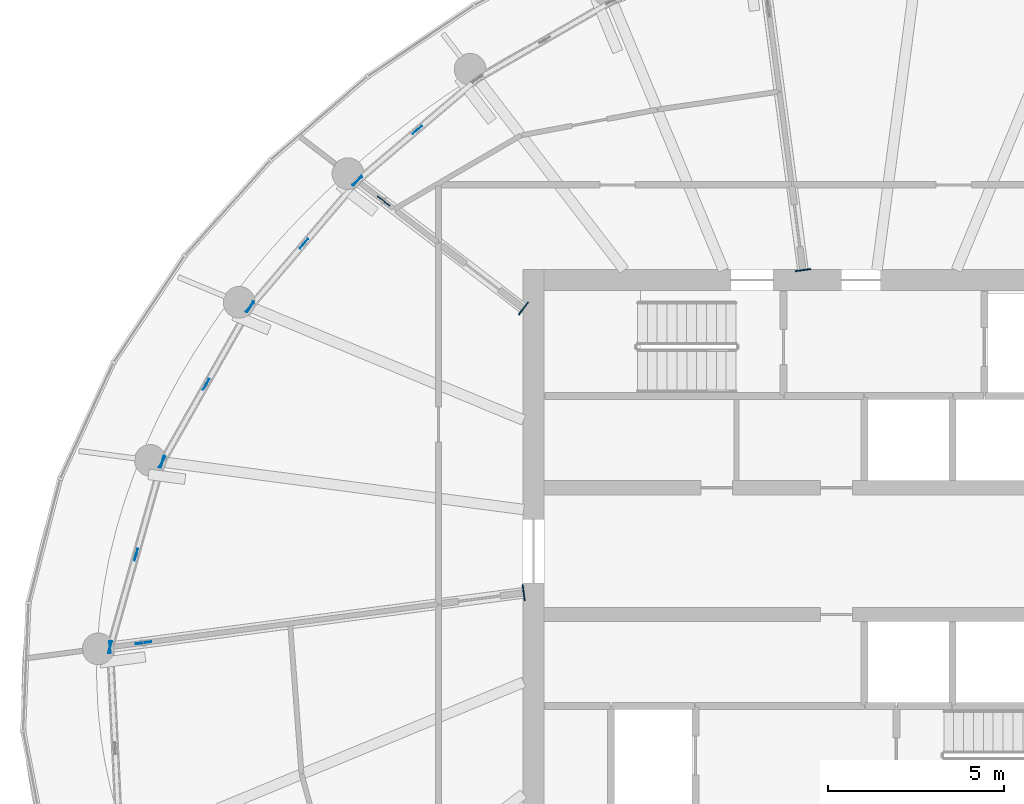
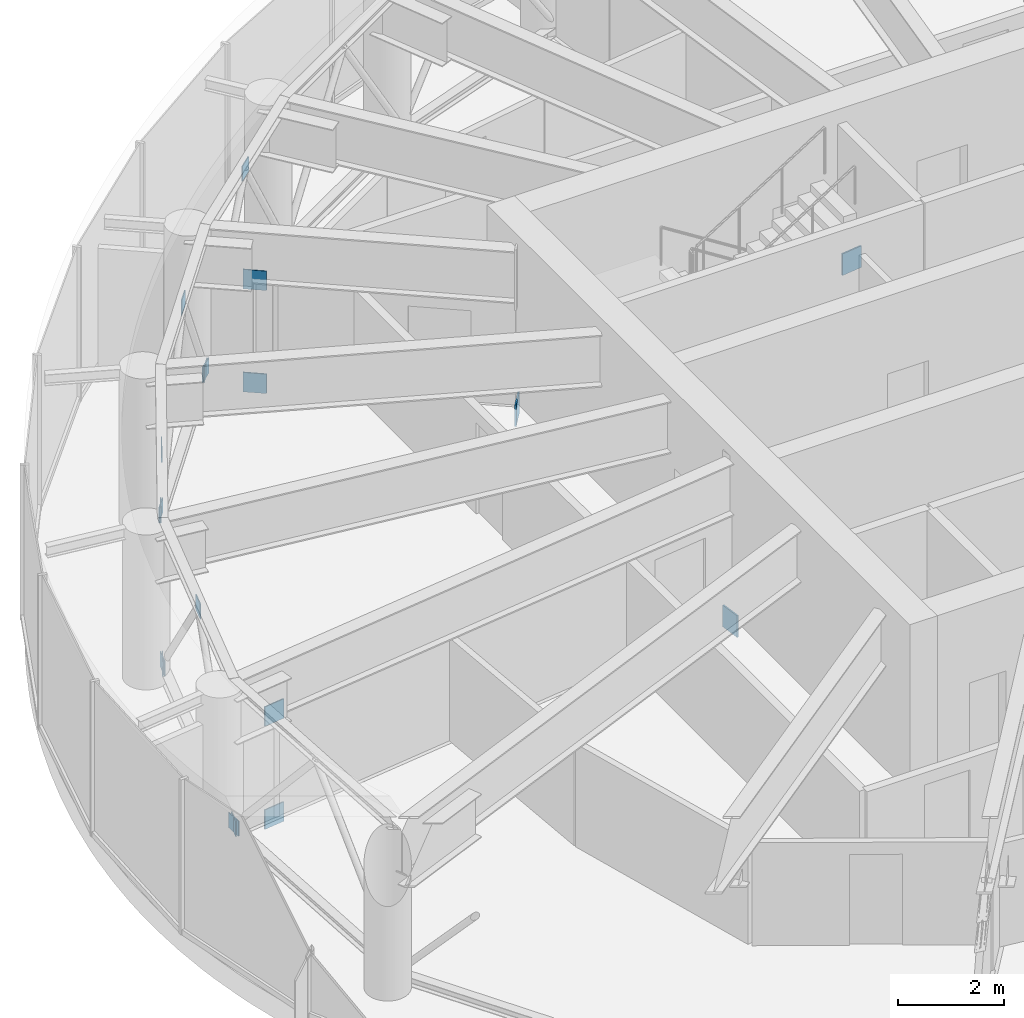
# One storey, part 22 of 26: 19 discrete accessories.
"""IFC4 building model written with IfcOpenShell, lengths in metres."""

from ifc_helpers import new_model, si_unit, direction, frame, origin, origin_2d, place, context, subcontext, project, spatial, rectangle, extrude, source, transform, mapped, material, layer, layer_set, type_object, element, save


model = new_model("IFC4")

# Units and contexts
model_context = context("Model", 3, precision=1e-05, world=origin(), true_north=direction((0.0, 1.0)))
body_context = subcontext(model_context, "Body", "Model", "MODEL_VIEW")
ifc_project = project(units=[si_unit("LENGTHUNIT", "METRE"), si_unit("AREAUNIT", "SQUARE_METRE"), si_unit("VOLUMEUNIT", "CUBIC_METRE"), si_unit("PLANEANGLEUNIT", "RADIAN"), si_unit("MASSUNIT", "GRAM", prefix="KILO")], contexts=[model_context])

# Site, building, storey
site_placement = place(None, origin())
site = spatial("IfcSite", under=ifc_project, at=site_placement, CompositionType="ELEMENT")
building_placement = place(site_placement, origin())
building = spatial("IfcBuilding", under=site, at=building_placement, Name="Spindrift Exchange Tower", CompositionType="ELEMENT")
storey_placement = place(building_placement, frame((0.0, 0.0, 230.60009765625)))
storey = spatial("IfcBuildingStorey", under=building, at=storey_placement, Name="L56", CompositionType="ELEMENT", Elevation=230.60009765625)

# Discrete accessories
ifc_material = material(Name="Steel Grade 350", Category="steel")
ifc_layer_1 = layer(ifc_material, 0.031982421875)
ifc_layer_set_1 = layer_set([ifc_layer_1], Name="Cast-in plate 450x500x32 Steel Grade 350")
discrete_accessory_type_1 = type_object("IfcDiscreteAccessoryType", Name="Cast-in plate 450x500x32 Steel Grade 350", PredefinedType="USERDEFINED", material=ifc_layer_set_1)
shared_shape_1 = source(origin(), body_context, "Body", "SweptSolid", [
    extrude(rectangle(XDim=0.031982421875, YDim=0.449951171875, at=origin_2d()), origin(), (0.0, 0.0, 1.0), 0.5),
])
for number, where, z_axis, x_axis, name in (
    (1, (50.949462890625, 55.980224609375, -0.404052734375), (0.0, 0.0, 1.0), (-0.13052619222, 0.991444861374, 0.0), "L56 cast-in plate CP2 07"),
    (2, (43.015869140625, 54.893798828125, -0.404052734375), (0.0, 0.0, 1.0), (-0.793353340291, 0.608761429009, 0.0), "L56 cast-in plate CP2 10"),
    (3, (43.019775390625, 46.817626953125, -0.404052734375), (0.0, 0.0, 1.0), (-0.991444861374, -0.13052619222, 0.0), "L56 cast-in plate CP2 13"),
):
    element("IfcDiscreteAccessory", number, at=place(storey_placement, frame(where, z_axis=z_axis, x_axis=x_axis)), inside=storey, type_object=discrete_accessory_type_1, Name=name, ObjectType="Cast-in plate", PredefinedType="USERDEFINED", context=body_context, shape_type="MappedRepresentation", body=[
        mapped(shared_shape_1, transform((0.0, 0.0, 0.0), scale=1.0)),
    ])
ifc_layer_2 = layer(ifc_material, 0.02490234375)
ifc_layer_set_2 = layer_set([ifc_layer_2], Name="Gusset plate 450x450x25 Steel Grade 350")
discrete_accessory_type_2 = type_object("IfcDiscreteAccessoryType", Name="Gusset plate 450x450x25 Steel Grade 350", PredefinedType="USERDEFINED", material=ifc_layer_set_2)
shared_shape_2 = source(origin(), body_context, "Body", "SweptSolid", [
    extrude(rectangle(XDim=0.449951171875, YDim=0.02490234375, at=origin_2d()), origin(), (0.0, 0.0, 1.0), 0.449951171875),
])
for number, where, z_axis, x_axis, name in (
    (4, (39.046875, 57.939208984375, -0.22509765625), (0.0, 0.0, 1.0), (-0.793353340291, 0.608761429009, 0.0), "L56 gusset plate GP1 10"),
    (5, (39.046875, 57.939208984375, 2.15478515625), (0.0, 0.0, 1.0), (-0.793353340291, 0.608761429009, 0.0), "L56 gusset plate GP1 10"),
    (6, (32.22265625, 45.396240234375, -0.22509765625), (0.0, 0.0, 1.0), (-0.991444861374, -0.13052619222, 0.0), "L56 gusset plate GP1 13"),
    (7, (32.22265625, 45.396240234375, 2.15478515625), (0.0, 0.0, 1.0), (-0.991444861374, -0.13052619222, 0.0), "L56 gusset plate GP1 13"),
):
    element("IfcDiscreteAccessory", number, at=place(storey_placement, frame(where, z_axis=z_axis, x_axis=x_axis)), inside=storey, type_object=discrete_accessory_type_2, Name=name, ObjectType="Gusset plate", PredefinedType="USERDEFINED", context=body_context, shape_type="MappedRepresentation", body=[
        mapped(shared_shape_2, transform((0.0, 0.0, 0.0), scale=1.0)),
    ])
ifc_layer_3 = layer(ifc_material, 0.02001953125)
ifc_layer_set_3 = layer_set([ifc_layer_3], Name="Gusset plate 350x350x20 Steel Grade 350")
discrete_accessory_type_3 = type_object("IfcDiscreteAccessoryType", Name="Gusset plate 350x350x20 Steel Grade 350", PredefinedType="USERDEFINED", material=ifc_layer_set_3)
shared_shape_3 = source(origin(), body_context, "Body", "SweptSolid", [
    extrude(rectangle(XDim=0.35009765625, YDim=0.02001953125, at=origin_2d()), origin(), (0.0, 0.0, 1.0), 0.35009765625),
])
for number, where, z_axis, x_axis, name in (
    (8, (40.003173828125, 59.96337890625, 3.201904296875), (0.0, 0.0, 1.0), (-0.76167968724, -0.647953743755, 0.0), "L56 gusset plate GP2 09"),
    (9, (38.298583984375, 58.51318359375, 0.02783203125), (0.0, 0.0, 1.0), (-0.76167968724, -0.647953743755, 0.0), "L56 gusset plate GP2 09"),
    (10, (38.298583984375, 58.51318359375, 0.02783203125), (0.0, 0.0, 1.0), (-0.64806673408, -0.761583552986, 0.0), "L56 gusset plate GP2 10"),
    (11, (36.776611328125, 56.724609375, 3.201904296875), (0.0, 0.0, 1.0), (-0.64806673408, -0.761583552986, 0.0), "L56 gusset plate GP2 10"),
    (12, (35.254638671875, 54.93603515625, 0.02783203125), (0.0, 0.0, 1.0), (-0.64806673408, -0.761583552986, 0.0), "L56 gusset plate GP2 10"),
    (13, (35.254638671875, 54.93603515625, 0.02783203125), (0.0, 0.0, 1.0), (-0.493579127992, -0.869700893647, 0.0), "L56 gusset plate GP2 11"),
    (14, (34.00537109375, 52.73486328125, 3.201904296875), (0.0, 0.0, 1.0), (-0.493579127992, -0.869700893647, 0.0), "L56 gusset plate GP2 11"),
    (15, (32.756103515625, 50.533447265625, 0.02783203125), (0.0, 0.0, 1.0), (-0.493579127992, -0.869700893647, 0.0), "L56 gusset plate GP2 11"),
    (16, (32.756103515625, 50.533447265625, 0.02783203125), (0.0, 0.0, 1.0), (-0.270993593489, -0.962581151014, 0.0), "L56 gusset plate GP2 12"),
    (17, (32.015380859375, 47.902587890625, 3.201904296875), (0.0, 0.0, 1.0), (-0.270993593489, -0.962581151014, 0.0), "L56 gusset plate GP2 12"),
    (18, (31.27490234375, 45.271484375, 0.02783203125), (0.0, 0.0, 1.0), (-0.270959992903, -0.962590609889, 0.0), "L56 gusset plate GP2 12"),
    (19, (31.27490234375, 45.271484375, 0.02783203125), (0.0, 0.0, 1.0), (0.049818991179, -0.998758263104, 0.0), "L56 gusset plate GP2 13"),
):
    element("IfcDiscreteAccessory", number, at=place(storey_placement, frame(where, z_axis=z_axis, x_axis=x_axis)), inside=storey, type_object=discrete_accessory_type_3, Name=name, ObjectType="Gusset plate", PredefinedType="USERDEFINED", context=body_context, shape_type="MappedRepresentation", body=[
        mapped(shared_shape_3, transform((0.0, 0.0, 0.0), scale=1.0)),
    ])

save(model, "model.ifc")
